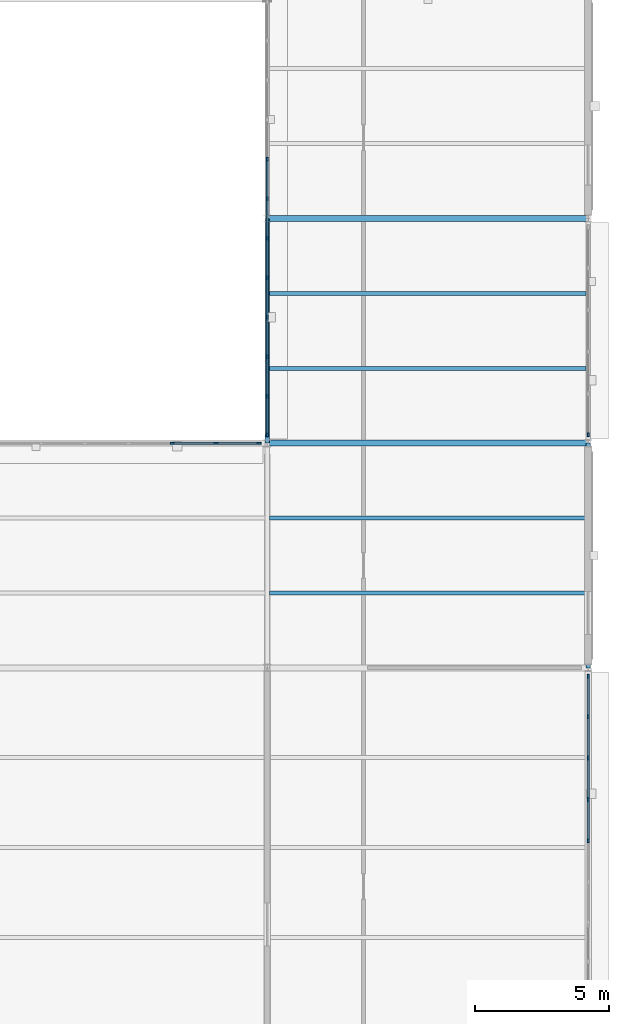
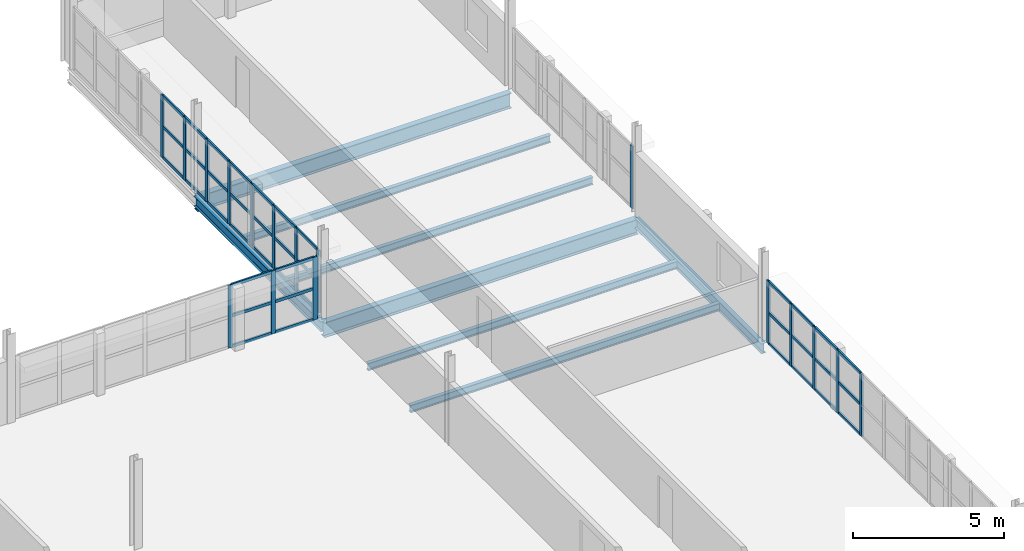
# One storey, part 53 of 101: 56 members, 8 beams, 4 elements without a shape of their own.
"""IFC4 building model written with IfcOpenShell, lengths in metres."""

from ifc_helpers import new_model, si_unit, direction, frame, origin, origin_2d, place, context, subcontext, project, spatial, rectangle, i_section, extrude, material, layer, layer_set, material_profile, profile_set, type_object, element, aggregate, save


model = new_model("IFC4")

# Units and contexts
model_context = context("Model", 3, precision=1e-05, world=origin(), true_north=direction((0.0, 1.0)))
body_context = subcontext(model_context, "Body", "Model", "MODEL_VIEW")
ifc_project = project(units=[si_unit("LENGTHUNIT", "METRE"), si_unit("AREAUNIT", "SQUARE_METRE"), si_unit("VOLUMEUNIT", "CUBIC_METRE"), si_unit("PLANEANGLEUNIT", "RADIAN"), si_unit("MASSUNIT", "GRAM", prefix="KILO"), si_unit("THERMODYNAMICTEMPERATUREUNIT", "KELVIN"), si_unit("POWERUNIT", "WATT")], contexts=[model_context])

# Site, building, storey
site_placement = place(None, origin())
site = spatial("IfcSite", under=ifc_project, at=site_placement, CompositionType="ELEMENT")
building_placement = place(site_placement, origin())
building = spatial("IfcBuilding", under=site, at=building_placement, Name="Tembeka Court Mobility Hub", CompositionType="ELEMENT")
storey_placement = place(building_placement, frame((0.0, 0.0, 5.39990234375)))
storey = spatial("IfcBuildingStorey", under=building, at=storey_placement, Name="L01", CompositionType="ELEMENT", Elevation=5.39990234375)

# Beams
ifc_material_1 = material(Name="Steel S355", Category="steel")
ifc_material_profile_1 = material_profile(ifc_material_1, i_section(OverallWidth=0.177978515625, OverallDepth=0.406005859375, WebThickness=0.0078125, FlangeThickness=0.0126953125, FilletRadius=0.01025390625, at=origin_2d()), Name="UKB 406x178x60")
ifc_profile_set_1 = profile_set([ifc_material_profile_1], Name="Steel S355")
beam_type_1 = type_object("IfcBeamType", Name="BM-B02", PredefinedType="BEAM", material=ifc_profile_set_1)
beam_1_placement = place(storey_placement, frame((164.39990234375, 46.800048828125, -0.392822265625), z_axis=(0.0, 1.0, 0.0), x_axis=(-1.0, 0.0, 0.0)))
element("IfcBeam", 1, at=beam_1_placement, inside=storey, type_object=beam_type_1, Name="Beam B02 (BM-L01-Y0903)", PredefinedType="BEAM", context=body_context, shape_type="SweptSolid", body=[
    extrude(i_section(OverallWidth=0.177978515625, OverallDepth=0.406005859375, WebThickness=0.0078125, FlangeThickness=0.0126953125, FilletRadius=0.01025390625, at=origin_2d()), origin(), (0.0, 0.0, 1.0), 8.39990234375),
])
beam_2_placement = place(storey_placement, frame((176.39990234375, 38.39990234375, -0.392822265625), z_axis=(0.0, 1.0, 0.0), x_axis=(-1.0, 0.0, 0.0)))
element("IfcBeam", 2, at=beam_2_placement, inside=storey, type_object=beam_type_1, Name="Beam B02 (BM-L01-Y0908)", PredefinedType="BEAM", context=body_context, shape_type="SweptSolid", body=[
    extrude(i_section(OverallWidth=0.177978515625, OverallDepth=0.406005859375, WebThickness=0.0078125, FlangeThickness=0.0126953125, FilletRadius=0.01025390625, at=origin_2d()), origin(), (0.0, 0.0, 1.0), 8.400146484375),
])
ifc_material_profile_2 = material_profile(ifc_material_1, i_section(OverallWidth=0.22900390625, OverallDepth=0.612060546875, WebThickness=0.011962890625, FlangeThickness=0.01953125, FilletRadius=0.0126953125, at=origin_2d()), Name="UKB 610x229x125")
ifc_profile_set_2 = profile_set([ifc_material_profile_2], Name="Steel S355")
beam_type_2 = type_object("IfcBeamType", Name="BM-G02", PredefinedType="USERDEFINED", material=ifc_profile_set_2)
for number, where, z_axis, x_axis, name in (
    (3, (164.39990234375, 46.800048828125, -0.495849609375), (1.0, 0.0, 0.0), (0.0, 1.0, 0.0), "Beam G02 (BM-L01-X0678)"),
    (4, (164.39990234375, 55.199951171875, -0.495849609375), (1.0, 0.0, 0.0), (0.0, 1.0, 0.0), "Beam G02 (BM-L01-X0690)"),
):
    element("IfcBeam", number, at=place(storey_placement, frame(where, z_axis=z_axis, x_axis=x_axis)), inside=storey, type_object=beam_type_2, Name=name, ObjectType="GIRDER", PredefinedType="USERDEFINED", context=body_context, shape_type="SweptSolid", body=[
        extrude(i_section(OverallWidth=0.22900390625, OverallDepth=0.612060546875, WebThickness=0.011962890625, FlangeThickness=0.01953125, FilletRadius=0.0126953125, at=origin_2d()), origin(), (0.0, 0.0, 1.0), 12.0),
    ])
ifc_material_profile_3 = material_profile(ifc_material_1, i_section(OverallWidth=0.14990234375, OverallDepth=0.300048828125, WebThickness=0.007080078125, FlangeThickness=0.0107421875, FilletRadius=0.014892578125, at=origin_2d()), Name="IPE 300")
ifc_profile_set_3 = profile_set([ifc_material_profile_3], Name="Steel S355")
beam_type_3 = type_object("IfcBeamType", Name="BM-J04", PredefinedType="JOIST", material=ifc_profile_set_3)
for number, where, z_axis, x_axis, name in (
    (5, (164.48388671875, 41.199951171875, -0.33984375), (1.0, 0.0, 0.0), (0.0, 1.0, 0.0), "Beam J04 (JST-L01-1164)"),
    (6, (164.48388671875, 44.0, -0.33984375), (1.0, 0.0, 0.0), (0.0, 1.0, 0.0), "Beam J04 (JST-L01-1165)"),
    (7, (164.48388671875, 49.60009765625, -0.33984375), (1.0, 0.0, 0.0), (0.0, 1.0, 0.0), "Beam J04 (JST-L01-1166)"),
    (8, (164.48388671875, 52.39990234375, -0.33984375), (1.0, 0.0, 0.0), (0.0, 1.0, 0.0), "Beam J04 (JST-L01-1167)"),
):
    element("IfcBeam", number, at=place(storey_placement, frame(where, z_axis=z_axis, x_axis=x_axis)), inside=storey, type_object=beam_type_3, Name=name, PredefinedType="JOIST", context=body_context, shape_type="SweptSolid", body=[
        extrude(i_section(OverallWidth=0.14990234375, OverallDepth=0.300048828125, WebThickness=0.007080078125, FlangeThickness=0.0107421875, FilletRadius=0.014892578125, at=origin_2d()), origin(), (0.0, 0.0, 1.0), 11.83203125),
    ])

# Curtain wall, members
ifc_material_2 = material(Name="Anodised aluminium 6063-T6", Category="aluminium")
ifc_layer_1 = layer(ifc_material_2, 0.159912109375)
ifc_layer_set_1 = layer_set([ifc_layer_1], Name="Anodised aluminium 6063-T6")
curtain_wall_type_1 = type_object("IfcCurtainWallType", Name="CW-SYS44", PredefinedType="USERDEFINED", material=ifc_layer_set_1)
curtain_wall_1_placement = place(storey_placement, origin())
curtain_wall_1 = element("IfcCurtainWall", 9, at=curtain_wall_1_placement, inside=storey, type_object=curtain_wall_type_1, Name="Unitised curtain wall CW44 (CW-L01-112)", ObjectType="UNITISED GLAZING", PredefinedType="USERDEFINED")
ifc_material_profile_4 = material_profile(ifc_material_2, rectangle(XDim=0.06494140625, YDim=0.159912109375, at=origin_2d()), Name="ALU-MUL 65x160")
ifc_profile_set_4 = profile_set([ifc_material_profile_4], Name="Anodised aluminium 6063-T6")
member_type_1 = type_object("IfcMemberType", Name="CW-MUL01", PredefinedType="MULLION", material=ifc_profile_set_4)
member_1_placement = place(storey_placement, frame((176.39990234375, 31.93603515625, 0.0), z_axis=(0.0, 0.0, 1.0), x_axis=(-1.0, 0.0, 0.0)))
member_1 = element("IfcMember", 10, at=member_1_placement, type_object=member_type_1, Name="CW44 mullion 3", PredefinedType="MULLION", context=body_context, shape_type="SweptSolid", body=[
    extrude(rectangle(XDim=0.06494140625, YDim=0.159912109375, at=origin_2d()), origin(), (0.0, 0.0, 1.0), 2.53515625),
])
member_2_placement = place(storey_placement, frame((176.39990234375, 33.48193359375, 0.0), z_axis=(0.0, 0.0, 1.0), x_axis=(-1.0, 0.0, 0.0)))
member_2 = element("IfcMember", 11, at=member_2_placement, type_object=member_type_1, Name="CW44 mullion 4", PredefinedType="MULLION", context=body_context, shape_type="SweptSolid", body=[
    extrude(rectangle(XDim=0.06494140625, YDim=0.159912109375, at=origin_2d()), origin(), (0.0, 0.0, 1.0), 2.53515625),
])
member_3_placement = place(storey_placement, frame((176.39990234375, 35.028076171875, 0.0), z_axis=(0.0, 0.0, 1.0), x_axis=(-1.0, 0.0, 0.0)))
member_3 = element("IfcMember", 12, at=member_3_placement, type_object=member_type_1, Name="CW44 mullion 5", PredefinedType="MULLION", context=body_context, shape_type="SweptSolid", body=[
    extrude(rectangle(XDim=0.06494140625, YDim=0.159912109375, at=origin_2d()), origin(), (0.0, 0.0, 1.0), 2.53515625),
])
member_4_placement = place(storey_placement, frame((176.39990234375, 36.573974609375, 0.0), z_axis=(0.0, 0.0, 1.0), x_axis=(-1.0, 0.0, 0.0)))
member_4 = element("IfcMember", 13, at=member_4_placement, type_object=member_type_1, Name="CW44 mullion 6", PredefinedType="MULLION", context=body_context, shape_type="SweptSolid", body=[
    extrude(rectangle(XDim=0.06494140625, YDim=0.159912109375, at=origin_2d()), origin(), (0.0, 0.0, 1.0), 2.53515625),
])
member_5_placement = place(storey_placement, frame((176.39990234375, 38.08740234375, 0.0), z_axis=(0.0, 0.0, 1.0), x_axis=(-1.0, 0.0, 0.0)))
member_5 = element("IfcMember", 14, at=member_5_placement, type_object=member_type_1, Name="CW44 mullion 7", PredefinedType="MULLION", context=body_context, shape_type="SweptSolid", body=[
    extrude(rectangle(XDim=0.06494140625, YDim=0.159912109375, at=origin_2d()), origin(), (0.0, 0.0, 1.0), 2.53515625),
])

# Curtain wall, member
ifc_layer_2 = layer(ifc_material_2, 0.159912109375)
ifc_layer_set_2 = layer_set([ifc_layer_2], Name="Anodised aluminium 6063-T6")
curtain_wall_type_2 = type_object("IfcCurtainWallType", Name="CW-SYS45", PredefinedType="USERDEFINED", material=ifc_layer_set_2)
curtain_wall_2_placement = place(storey_placement, origin())
curtain_wall_2 = element("IfcCurtainWall", 15, at=curtain_wall_2_placement, inside=storey, type_object=curtain_wall_type_2, Name="Unitised curtain wall CW45 (CW-L01-113)", ObjectType="UNITISED GLAZING", PredefinedType="USERDEFINED")
member_6_placement = place(storey_placement, frame((176.39990234375, 47.112548828125, 0.0), z_axis=(0.0, 0.0, 1.0), x_axis=(-1.0, 0.0, 0.0)))
member_6 = element("IfcMember", 16, at=member_6_placement, type_object=member_type_1, Name="CW45 mullion 1", PredefinedType="MULLION", context=body_context, shape_type="SweptSolid", body=[
    extrude(rectangle(XDim=0.06494140625, YDim=0.159912109375, at=origin_2d()), origin(), (0.0, 0.0, 1.0), 2.53515625),
])
aggregate(curtain_wall_2, [member_6])

# Curtain wall, members
ifc_layer_3 = layer(ifc_material_2, 0.159912109375)
ifc_layer_set_3 = layer_set([ifc_layer_3], Name="Anodised aluminium 6063-T6")
curtain_wall_type_3 = type_object("IfcCurtainWallType", Name="CW-SYS46", PredefinedType="USERDEFINED", material=ifc_layer_set_3)
curtain_wall_3_placement = place(storey_placement, origin())
curtain_wall_3 = element("IfcCurtainWall", 17, at=curtain_wall_3_placement, inside=storey, type_object=curtain_wall_type_3, Name="Unitised curtain wall CW46 (CW-L01-114)", ObjectType="UNITISED GLAZING", PredefinedType="USERDEFINED")
member_7_placement = place(storey_placement, frame((164.39990234375, 47.112548828125, 0.0), z_axis=(0.0, 0.0, 1.0), x_axis=(-1.0, 0.0, 0.0)))
member_7 = element("IfcMember", 18, at=member_7_placement, type_object=member_type_1, Name="CW46 mullion 1", PredefinedType="MULLION", context=body_context, shape_type="SweptSolid", body=[
    extrude(rectangle(XDim=0.06494140625, YDim=0.159912109375, at=origin_2d()), origin(), (0.0, 0.0, 1.0), 2.53515625),
])
member_8_placement = place(storey_placement, frame((164.39990234375, 48.556396484375, 0.0), z_axis=(0.0, 0.0, 1.0), x_axis=(-1.0, 0.0, 0.0)))
member_8 = element("IfcMember", 19, at=member_8_placement, type_object=member_type_1, Name="CW46 mullion 2", PredefinedType="MULLION", context=body_context, shape_type="SweptSolid", body=[
    extrude(rectangle(XDim=0.06494140625, YDim=0.159912109375, at=origin_2d()), origin(), (0.0, 0.0, 1.0), 2.53515625),
])
member_9_placement = place(storey_placement, frame((164.39990234375, 50.03271484375, 0.0), z_axis=(0.0, 0.0, 1.0), x_axis=(-1.0, 0.0, 0.0)))
member_9 = element("IfcMember", 20, at=member_9_placement, type_object=member_type_1, Name="CW46 mullion 3", PredefinedType="MULLION", context=body_context, shape_type="SweptSolid", body=[
    extrude(rectangle(XDim=0.06494140625, YDim=0.159912109375, at=origin_2d()), origin(), (0.0, 0.0, 1.0), 2.53515625),
])
member_10_placement = place(storey_placement, frame((164.39990234375, 51.509033203125, 0.0), z_axis=(0.0, 0.0, 1.0), x_axis=(-1.0, 0.0, 0.0)))
member_10 = element("IfcMember", 21, at=member_10_placement, type_object=member_type_1, Name="CW46 mullion 4", PredefinedType="MULLION", context=body_context, shape_type="SweptSolid", body=[
    extrude(rectangle(XDim=0.06494140625, YDim=0.159912109375, at=origin_2d()), origin(), (0.0, 0.0, 1.0), 2.53515625),
])
member_11_placement = place(storey_placement, frame((164.39990234375, 52.9853515625, 0.0), z_axis=(0.0, 0.0, 1.0), x_axis=(-1.0, 0.0, 0.0)))
member_11 = element("IfcMember", 22, at=member_11_placement, type_object=member_type_1, Name="CW46 mullion 5", PredefinedType="MULLION", context=body_context, shape_type="SweptSolid", body=[
    extrude(rectangle(XDim=0.06494140625, YDim=0.159912109375, at=origin_2d()), origin(), (0.0, 0.0, 1.0), 2.53515625),
])
member_12_placement = place(storey_placement, frame((164.39990234375, 54.4619140625, 0.0), z_axis=(0.0, 0.0, 1.0), x_axis=(-1.0, 0.0, 0.0)))
member_12 = element("IfcMember", 23, at=member_12_placement, type_object=member_type_1, Name="CW46 mullion 6", PredefinedType="MULLION", context=body_context, shape_type="SweptSolid", body=[
    extrude(rectangle(XDim=0.06494140625, YDim=0.159912109375, at=origin_2d()), origin(), (0.0, 0.0, 1.0), 2.53515625),
])
member_13_placement = place(storey_placement, frame((164.39990234375, 55.938232421875, 0.0), z_axis=(0.0, 0.0, 1.0), x_axis=(-1.0, 0.0, 0.0)))
member_13 = element("IfcMember", 24, at=member_13_placement, type_object=member_type_1, Name="CW46 mullion 7", PredefinedType="MULLION", context=body_context, shape_type="SweptSolid", body=[
    extrude(rectangle(XDim=0.06494140625, YDim=0.159912109375, at=origin_2d()), origin(), (0.0, 0.0, 1.0), 2.53515625),
])
member_14_placement = place(storey_placement, frame((164.39990234375, 57.41455078125, 0.0), z_axis=(0.0, 0.0, 1.0), x_axis=(-1.0, 0.0, 0.0)))
member_14 = element("IfcMember", 25, at=member_14_placement, type_object=member_type_1, Name="CW46 mullion 8", PredefinedType="MULLION", context=body_context, shape_type="SweptSolid", body=[
    extrude(rectangle(XDim=0.06494140625, YDim=0.159912109375, at=origin_2d()), origin(), (0.0, 0.0, 1.0), 2.53515625),
])

ifc_layer_4 = layer(ifc_material_2, 0.159912109375)
ifc_layer_set_4 = layer_set([ifc_layer_4], Name="Anodised aluminium 6063-T6")
curtain_wall_type_4 = type_object("IfcCurtainWallType", Name="CW-SYS41", PredefinedType="USERDEFINED", material=ifc_layer_set_4)
curtain_wall_4_placement = place(storey_placement, origin())
curtain_wall_4 = element("IfcCurtainWall", 26, at=curtain_wall_4_placement, inside=storey, type_object=curtain_wall_type_4, Name="Unitised curtain wall CW41 (CW-L01-116)", ObjectType="UNITISED GLAZING", PredefinedType="USERDEFINED")
member_15_placement = place(storey_placement, frame((160.851318359375, 46.800048828125, 0.0), z_axis=(0.0, 0.0, 1.0), x_axis=(0.0, 1.0, 0.0)))
member_15 = element("IfcMember", 27, at=member_15_placement, type_object=member_type_1, Name="CW41 mullion 6", PredefinedType="MULLION", context=body_context, shape_type="SweptSolid", body=[
    extrude(rectangle(XDim=0.06494140625, YDim=0.159912109375, at=origin_2d()), origin(), (0.0, 0.0, 1.0), 2.53515625),
])
member_16_placement = place(storey_placement, frame((162.485595703125, 46.800048828125, 0.0), z_axis=(0.0, 0.0, 1.0), x_axis=(0.0, 1.0, 0.0)))
member_16 = element("IfcMember", 28, at=member_16_placement, type_object=member_type_1, Name="CW41 mullion 7", PredefinedType="MULLION", context=body_context, shape_type="SweptSolid", body=[
    extrude(rectangle(XDim=0.06494140625, YDim=0.159912109375, at=origin_2d()), origin(), (0.0, 0.0, 1.0), 2.53515625),
])
member_17_placement = place(storey_placement, frame((164.08740234375, 46.800048828125, 0.0), z_axis=(0.0, 0.0, 1.0), x_axis=(0.0, 1.0, 0.0)))
member_17 = element("IfcMember", 29, at=member_17_placement, type_object=member_type_1, Name="CW41 mullion 8", PredefinedType="MULLION", context=body_context, shape_type="SweptSolid", body=[
    extrude(rectangle(XDim=0.06494140625, YDim=0.159912109375, at=origin_2d()), origin(), (0.0, 0.0, 1.0), 2.53515625),
])

# Member
ifc_material_profile_5 = material_profile(ifc_material_2, rectangle(XDim=0.06494140625, YDim=0.1201171875, at=origin_2d()), Name="ALU-TRN 65x120")
ifc_profile_set_5 = profile_set([ifc_material_profile_5], Name="Anodised aluminium 6063-T6")
member_type_2 = type_object("IfcMemberType", Name="CW-TRN01", PredefinedType="USERDEFINED", material=ifc_profile_set_5)
member_18_placement = place(storey_placement, frame((176.39990234375, 31.968505859375, 0.03271484375), z_axis=(0.0, 1.0, 0.0), x_axis=(-1.0, 0.0, 0.0)))
member_18 = element("IfcMember", 30, at=member_18_placement, type_object=member_type_2, Name="CW44 transom 3.1", ObjectType="TRANSOM", PredefinedType="USERDEFINED", context=body_context, shape_type="SweptSolid", body=[
    extrude(rectangle(XDim=0.06494140625, YDim=0.1201171875, at=origin_2d()), origin(), (0.0, 0.0, 1.0), 1.48095703125),
])

member_19_placement = place(storey_placement, frame((176.39990234375, 31.968505859375, 1.267578125), z_axis=(0.0, 1.0, 0.0), x_axis=(-1.0, 0.0, 0.0)))
member_19 = element("IfcMember", 31, at=member_19_placement, type_object=member_type_2, Name="CW44 transom 3.2", ObjectType="TRANSOM", PredefinedType="USERDEFINED", context=body_context, shape_type="SweptSolid", body=[
    extrude(rectangle(XDim=0.06494140625, YDim=0.1201171875, at=origin_2d()), origin(), (0.0, 0.0, 1.0), 1.48095703125),
])

member_20_placement = place(storey_placement, frame((176.39990234375, 31.968505859375, 2.502685546875), z_axis=(0.0, 1.0, 0.0), x_axis=(-1.0, 0.0, 0.0)))
member_20 = element("IfcMember", 32, at=member_20_placement, type_object=member_type_2, Name="CW44 transom 3.3", ObjectType="TRANSOM", PredefinedType="USERDEFINED", context=body_context, shape_type="SweptSolid", body=[
    extrude(rectangle(XDim=0.06494140625, YDim=0.1201171875, at=origin_2d()), origin(), (0.0, 0.0, 1.0), 1.48095703125),
])

member_21_placement = place(storey_placement, frame((176.39990234375, 33.514404296875, 0.03271484375), z_axis=(0.0, 1.0, 0.0), x_axis=(-1.0, 0.0, 0.0)))
member_21 = element("IfcMember", 33, at=member_21_placement, type_object=member_type_2, Name="CW44 transom 4.1", ObjectType="TRANSOM", PredefinedType="USERDEFINED", context=body_context, shape_type="SweptSolid", body=[
    extrude(rectangle(XDim=0.06494140625, YDim=0.1201171875, at=origin_2d()), origin(), (0.0, 0.0, 1.0), 1.481201171875),
])

member_22_placement = place(storey_placement, frame((176.39990234375, 33.514404296875, 1.267578125), z_axis=(0.0, 1.0, 0.0), x_axis=(-1.0, 0.0, 0.0)))
member_22 = element("IfcMember", 34, at=member_22_placement, type_object=member_type_2, Name="CW44 transom 4.2", ObjectType="TRANSOM", PredefinedType="USERDEFINED", context=body_context, shape_type="SweptSolid", body=[
    extrude(rectangle(XDim=0.06494140625, YDim=0.1201171875, at=origin_2d()), origin(), (0.0, 0.0, 1.0), 1.481201171875),
])

member_23_placement = place(storey_placement, frame((176.39990234375, 33.514404296875, 2.502685546875), z_axis=(0.0, 1.0, 0.0), x_axis=(-1.0, 0.0, 0.0)))
member_23 = element("IfcMember", 35, at=member_23_placement, type_object=member_type_2, Name="CW44 transom 4.3", ObjectType="TRANSOM", PredefinedType="USERDEFINED", context=body_context, shape_type="SweptSolid", body=[
    extrude(rectangle(XDim=0.06494140625, YDim=0.1201171875, at=origin_2d()), origin(), (0.0, 0.0, 1.0), 1.481201171875),
])

member_24_placement = place(storey_placement, frame((176.39990234375, 35.060546875, 0.03271484375), z_axis=(0.0, 1.0, 0.0), x_axis=(-1.0, 0.0, 0.0)))
member_24 = element("IfcMember", 36, at=member_24_placement, type_object=member_type_2, Name="CW44 transom 5.1", ObjectType="TRANSOM", PredefinedType="USERDEFINED", context=body_context, shape_type="SweptSolid", body=[
    extrude(rectangle(XDim=0.06494140625, YDim=0.1201171875, at=origin_2d()), origin(), (0.0, 0.0, 1.0), 1.48095703125),
])

member_25_placement = place(storey_placement, frame((176.39990234375, 35.060546875, 1.267578125), z_axis=(0.0, 1.0, 0.0), x_axis=(-1.0, 0.0, 0.0)))
member_25 = element("IfcMember", 37, at=member_25_placement, type_object=member_type_2, Name="CW44 transom 5.2", ObjectType="TRANSOM", PredefinedType="USERDEFINED", context=body_context, shape_type="SweptSolid", body=[
    extrude(rectangle(XDim=0.06494140625, YDim=0.1201171875, at=origin_2d()), origin(), (0.0, 0.0, 1.0), 1.48095703125),
])

member_26_placement = place(storey_placement, frame((176.39990234375, 35.060546875, 2.502685546875), z_axis=(0.0, 1.0, 0.0), x_axis=(-1.0, 0.0, 0.0)))
member_26 = element("IfcMember", 38, at=member_26_placement, type_object=member_type_2, Name="CW44 transom 5.3", ObjectType="TRANSOM", PredefinedType="USERDEFINED", context=body_context, shape_type="SweptSolid", body=[
    extrude(rectangle(XDim=0.06494140625, YDim=0.1201171875, at=origin_2d()), origin(), (0.0, 0.0, 1.0), 1.48095703125),
])

member_27_placement = place(storey_placement, frame((176.39990234375, 36.6064453125, 0.03271484375), z_axis=(0.0, 1.0, 0.0), x_axis=(-1.0, 0.0, 0.0)))
member_27 = element("IfcMember", 39, at=member_27_placement, type_object=member_type_2, Name="CW44 transom 6.1", ObjectType="TRANSOM", PredefinedType="USERDEFINED", context=body_context, shape_type="SweptSolid", body=[
    extrude(rectangle(XDim=0.06494140625, YDim=0.1201171875, at=origin_2d()), origin(), (0.0, 0.0, 1.0), 1.448486328125),
])

member_28_placement = place(storey_placement, frame((176.39990234375, 36.6064453125, 1.267578125), z_axis=(0.0, 1.0, 0.0), x_axis=(-1.0, 0.0, 0.0)))
member_28 = element("IfcMember", 40, at=member_28_placement, type_object=member_type_2, Name="CW44 transom 6.2", ObjectType="TRANSOM", PredefinedType="USERDEFINED", context=body_context, shape_type="SweptSolid", body=[
    extrude(rectangle(XDim=0.06494140625, YDim=0.1201171875, at=origin_2d()), origin(), (0.0, 0.0, 1.0), 1.448486328125),
])

member_29_placement = place(storey_placement, frame((176.39990234375, 36.6064453125, 2.502685546875), z_axis=(0.0, 1.0, 0.0), x_axis=(-1.0, 0.0, 0.0)))
member_29 = element("IfcMember", 41, at=member_29_placement, type_object=member_type_2, Name="CW44 transom 6.3", ObjectType="TRANSOM", PredefinedType="USERDEFINED", context=body_context, shape_type="SweptSolid", body=[
    extrude(rectangle(XDim=0.06494140625, YDim=0.1201171875, at=origin_2d()), origin(), (0.0, 0.0, 1.0), 1.448486328125),
])

aggregate(curtain_wall_1, [member_1, member_2, member_3, member_4, member_5, member_18, member_19, member_20, member_21, member_22, member_23, member_24, member_25, member_26, member_27, member_28, member_29])

member_30_placement = place(storey_placement, frame((164.39990234375, 47.14501953125, 0.03271484375), z_axis=(0.0, 1.0, 0.0), x_axis=(-1.0, 0.0, 0.0)))
member_30 = element("IfcMember", 42, at=member_30_placement, type_object=member_type_2, Name="CW46 transom 1.1", ObjectType="TRANSOM", PredefinedType="USERDEFINED", context=body_context, shape_type="SweptSolid", body=[
    extrude(rectangle(XDim=0.06494140625, YDim=0.1201171875, at=origin_2d()), origin(), (0.0, 0.0, 1.0), 1.37890625),
])

member_31_placement = place(storey_placement, frame((164.39990234375, 47.14501953125, 1.267578125), z_axis=(0.0, 1.0, 0.0), x_axis=(-1.0, 0.0, 0.0)))
member_31 = element("IfcMember", 43, at=member_31_placement, type_object=member_type_2, Name="CW46 transom 1.2", ObjectType="TRANSOM", PredefinedType="USERDEFINED", context=body_context, shape_type="SweptSolid", body=[
    extrude(rectangle(XDim=0.06494140625, YDim=0.1201171875, at=origin_2d()), origin(), (0.0, 0.0, 1.0), 1.37890625),
])

member_32_placement = place(storey_placement, frame((164.39990234375, 47.14501953125, 2.502685546875), z_axis=(0.0, 1.0, 0.0), x_axis=(-1.0, 0.0, 0.0)))
member_32 = element("IfcMember", 44, at=member_32_placement, type_object=member_type_2, Name="CW46 transom 1.3", ObjectType="TRANSOM", PredefinedType="USERDEFINED", context=body_context, shape_type="SweptSolid", body=[
    extrude(rectangle(XDim=0.06494140625, YDim=0.1201171875, at=origin_2d()), origin(), (0.0, 0.0, 1.0), 1.37890625),
])

member_33_placement = place(storey_placement, frame((164.39990234375, 48.5888671875, 0.03271484375), z_axis=(0.0, 1.0, 0.0), x_axis=(-1.0, 0.0, 0.0)))
member_33 = element("IfcMember", 45, at=member_33_placement, type_object=member_type_2, Name="CW46 transom 2.1", ObjectType="TRANSOM", PredefinedType="USERDEFINED", context=body_context, shape_type="SweptSolid", body=[
    extrude(rectangle(XDim=0.06494140625, YDim=0.1201171875, at=origin_2d()), origin(), (0.0, 0.0, 1.0), 1.411376953125),
])

member_34_placement = place(storey_placement, frame((164.39990234375, 48.5888671875, 1.267578125), z_axis=(0.0, 1.0, 0.0), x_axis=(-1.0, 0.0, 0.0)))
member_34 = element("IfcMember", 46, at=member_34_placement, type_object=member_type_2, Name="CW46 transom 2.2", ObjectType="TRANSOM", PredefinedType="USERDEFINED", context=body_context, shape_type="SweptSolid", body=[
    extrude(rectangle(XDim=0.06494140625, YDim=0.1201171875, at=origin_2d()), origin(), (0.0, 0.0, 1.0), 1.411376953125),
])

member_35_placement = place(storey_placement, frame((164.39990234375, 48.5888671875, 2.502685546875), z_axis=(0.0, 1.0, 0.0), x_axis=(-1.0, 0.0, 0.0)))
member_35 = element("IfcMember", 47, at=member_35_placement, type_object=member_type_2, Name="CW46 transom 2.3", ObjectType="TRANSOM", PredefinedType="USERDEFINED", context=body_context, shape_type="SweptSolid", body=[
    extrude(rectangle(XDim=0.06494140625, YDim=0.1201171875, at=origin_2d()), origin(), (0.0, 0.0, 1.0), 1.411376953125),
])

member_36_placement = place(storey_placement, frame((164.39990234375, 50.065185546875, 0.03271484375), z_axis=(0.0, 1.0, 0.0), x_axis=(-1.0, 0.0, 0.0)))
member_36 = element("IfcMember", 48, at=member_36_placement, type_object=member_type_2, Name="CW46 transom 3.1", ObjectType="TRANSOM", PredefinedType="USERDEFINED", context=body_context, shape_type="SweptSolid", body=[
    extrude(rectangle(XDim=0.06494140625, YDim=0.1201171875, at=origin_2d()), origin(), (0.0, 0.0, 1.0), 1.411376953125),
])

member_37_placement = place(storey_placement, frame((164.39990234375, 50.065185546875, 1.267578125), z_axis=(0.0, 1.0, 0.0), x_axis=(-1.0, 0.0, 0.0)))
member_37 = element("IfcMember", 49, at=member_37_placement, type_object=member_type_2, Name="CW46 transom 3.2", ObjectType="TRANSOM", PredefinedType="USERDEFINED", context=body_context, shape_type="SweptSolid", body=[
    extrude(rectangle(XDim=0.06494140625, YDim=0.1201171875, at=origin_2d()), origin(), (0.0, 0.0, 1.0), 1.411376953125),
])

member_38_placement = place(storey_placement, frame((164.39990234375, 50.065185546875, 2.502685546875), z_axis=(0.0, 1.0, 0.0), x_axis=(-1.0, 0.0, 0.0)))
member_38 = element("IfcMember", 50, at=member_38_placement, type_object=member_type_2, Name="CW46 transom 3.3", ObjectType="TRANSOM", PredefinedType="USERDEFINED", context=body_context, shape_type="SweptSolid", body=[
    extrude(rectangle(XDim=0.06494140625, YDim=0.1201171875, at=origin_2d()), origin(), (0.0, 0.0, 1.0), 1.411376953125),
])

member_39_placement = place(storey_placement, frame((164.39990234375, 51.54150390625, 0.03271484375), z_axis=(0.0, 1.0, 0.0), x_axis=(-1.0, 0.0, 0.0)))
member_39 = element("IfcMember", 51, at=member_39_placement, type_object=member_type_2, Name="CW46 transom 4.1", ObjectType="TRANSOM", PredefinedType="USERDEFINED", context=body_context, shape_type="SweptSolid", body=[
    extrude(rectangle(XDim=0.06494140625, YDim=0.1201171875, at=origin_2d()), origin(), (0.0, 0.0, 1.0), 1.411376953125),
])

member_40_placement = place(storey_placement, frame((164.39990234375, 51.54150390625, 1.267578125), z_axis=(0.0, 1.0, 0.0), x_axis=(-1.0, 0.0, 0.0)))
member_40 = element("IfcMember", 52, at=member_40_placement, type_object=member_type_2, Name="CW46 transom 4.2", ObjectType="TRANSOM", PredefinedType="USERDEFINED", context=body_context, shape_type="SweptSolid", body=[
    extrude(rectangle(XDim=0.06494140625, YDim=0.1201171875, at=origin_2d()), origin(), (0.0, 0.0, 1.0), 1.411376953125),
])

member_41_placement = place(storey_placement, frame((164.39990234375, 51.54150390625, 2.502685546875), z_axis=(0.0, 1.0, 0.0), x_axis=(-1.0, 0.0, 0.0)))
member_41 = element("IfcMember", 53, at=member_41_placement, type_object=member_type_2, Name="CW46 transom 4.3", ObjectType="TRANSOM", PredefinedType="USERDEFINED", context=body_context, shape_type="SweptSolid", body=[
    extrude(rectangle(XDim=0.06494140625, YDim=0.1201171875, at=origin_2d()), origin(), (0.0, 0.0, 1.0), 1.411376953125),
])

member_42_placement = place(storey_placement, frame((164.39990234375, 53.01806640625, 0.03271484375), z_axis=(0.0, 1.0, 0.0), x_axis=(-1.0, 0.0, 0.0)))
member_42 = element("IfcMember", 54, at=member_42_placement, type_object=member_type_2, Name="CW46 transom 5.1", ObjectType="TRANSOM", PredefinedType="USERDEFINED", context=body_context, shape_type="SweptSolid", body=[
    extrude(rectangle(XDim=0.06494140625, YDim=0.1201171875, at=origin_2d()), origin(), (0.0, 0.0, 1.0), 1.4111328125),
])

member_43_placement = place(storey_placement, frame((164.39990234375, 53.01806640625, 1.267578125), z_axis=(0.0, 1.0, 0.0), x_axis=(-1.0, 0.0, 0.0)))
member_43 = element("IfcMember", 55, at=member_43_placement, type_object=member_type_2, Name="CW46 transom 5.2", ObjectType="TRANSOM", PredefinedType="USERDEFINED", context=body_context, shape_type="SweptSolid", body=[
    extrude(rectangle(XDim=0.06494140625, YDim=0.1201171875, at=origin_2d()), origin(), (0.0, 0.0, 1.0), 1.4111328125),
])

member_44_placement = place(storey_placement, frame((164.39990234375, 53.01806640625, 2.502685546875), z_axis=(0.0, 1.0, 0.0), x_axis=(-1.0, 0.0, 0.0)))
member_44 = element("IfcMember", 56, at=member_44_placement, type_object=member_type_2, Name="CW46 transom 5.3", ObjectType="TRANSOM", PredefinedType="USERDEFINED", context=body_context, shape_type="SweptSolid", body=[
    extrude(rectangle(XDim=0.06494140625, YDim=0.1201171875, at=origin_2d()), origin(), (0.0, 0.0, 1.0), 1.4111328125),
])

member_45_placement = place(storey_placement, frame((164.39990234375, 54.494384765625, 0.03271484375), z_axis=(0.0, 1.0, 0.0), x_axis=(-1.0, 0.0, 0.0)))
member_45 = element("IfcMember", 57, at=member_45_placement, type_object=member_type_2, Name="CW46 transom 6.1", ObjectType="TRANSOM", PredefinedType="USERDEFINED", context=body_context, shape_type="SweptSolid", body=[
    extrude(rectangle(XDim=0.06494140625, YDim=0.1201171875, at=origin_2d()), origin(), (0.0, 0.0, 1.0), 1.411376953125),
])

member_46_placement = place(storey_placement, frame((164.39990234375, 54.494384765625, 1.267578125), z_axis=(0.0, 1.0, 0.0), x_axis=(-1.0, 0.0, 0.0)))
member_46 = element("IfcMember", 58, at=member_46_placement, type_object=member_type_2, Name="CW46 transom 6.2", ObjectType="TRANSOM", PredefinedType="USERDEFINED", context=body_context, shape_type="SweptSolid", body=[
    extrude(rectangle(XDim=0.06494140625, YDim=0.1201171875, at=origin_2d()), origin(), (0.0, 0.0, 1.0), 1.411376953125),
])

member_47_placement = place(storey_placement, frame((164.39990234375, 54.494384765625, 2.502685546875), z_axis=(0.0, 1.0, 0.0), x_axis=(-1.0, 0.0, 0.0)))
member_47 = element("IfcMember", 59, at=member_47_placement, type_object=member_type_2, Name="CW46 transom 6.3", ObjectType="TRANSOM", PredefinedType="USERDEFINED", context=body_context, shape_type="SweptSolid", body=[
    extrude(rectangle(XDim=0.06494140625, YDim=0.1201171875, at=origin_2d()), origin(), (0.0, 0.0, 1.0), 1.411376953125),
])

member_48_placement = place(storey_placement, frame((164.39990234375, 55.970703125, 0.03271484375), z_axis=(0.0, 1.0, 0.0), x_axis=(-1.0, 0.0, 0.0)))
member_48 = element("IfcMember", 60, at=member_48_placement, type_object=member_type_2, Name="CW46 transom 7.1", ObjectType="TRANSOM", PredefinedType="USERDEFINED", context=body_context, shape_type="SweptSolid", body=[
    extrude(rectangle(XDim=0.06494140625, YDim=0.1201171875, at=origin_2d()), origin(), (0.0, 0.0, 1.0), 1.411376953125),
])

member_49_placement = place(storey_placement, frame((164.39990234375, 55.970703125, 1.267578125), z_axis=(0.0, 1.0, 0.0), x_axis=(-1.0, 0.0, 0.0)))
member_49 = element("IfcMember", 61, at=member_49_placement, type_object=member_type_2, Name="CW46 transom 7.2", ObjectType="TRANSOM", PredefinedType="USERDEFINED", context=body_context, shape_type="SweptSolid", body=[
    extrude(rectangle(XDim=0.06494140625, YDim=0.1201171875, at=origin_2d()), origin(), (0.0, 0.0, 1.0), 1.411376953125),
])

member_50_placement = place(storey_placement, frame((164.39990234375, 55.970703125, 2.502685546875), z_axis=(0.0, 1.0, 0.0), x_axis=(-1.0, 0.0, 0.0)))
member_50 = element("IfcMember", 62, at=member_50_placement, type_object=member_type_2, Name="CW46 transom 7.3", ObjectType="TRANSOM", PredefinedType="USERDEFINED", context=body_context, shape_type="SweptSolid", body=[
    extrude(rectangle(XDim=0.06494140625, YDim=0.1201171875, at=origin_2d()), origin(), (0.0, 0.0, 1.0), 1.411376953125),
])

aggregate(curtain_wall_3, [member_7, member_8, member_9, member_10, member_11, member_12, member_13, member_14, member_30, member_31, member_32, member_33, member_34, member_35, member_36, member_37, member_38, member_39, member_40, member_41, member_42, member_43, member_44, member_45, member_46, member_47, member_48, member_49, member_50])

member_51_placement = place(storey_placement, frame((160.884033203125, 46.800048828125, 0.03271484375), z_axis=(1.0, 0.0, 0.0), x_axis=(0.0, 1.0, 0.0)))
member_51 = element("IfcMember", 63, at=member_51_placement, type_object=member_type_2, Name="CW41 transom 6.1", ObjectType="TRANSOM", PredefinedType="USERDEFINED", context=body_context, shape_type="SweptSolid", body=[
    extrude(rectangle(XDim=0.06494140625, YDim=0.1201171875, at=origin_2d()), origin(), (0.0, 0.0, 1.0), 1.569091796875),
])

member_52_placement = place(storey_placement, frame((160.884033203125, 46.800048828125, 1.267578125), z_axis=(1.0, 0.0, 0.0), x_axis=(0.0, 1.0, 0.0)))
member_52 = element("IfcMember", 64, at=member_52_placement, type_object=member_type_2, Name="CW41 transom 6.2", ObjectType="TRANSOM", PredefinedType="USERDEFINED", context=body_context, shape_type="SweptSolid", body=[
    extrude(rectangle(XDim=0.06494140625, YDim=0.1201171875, at=origin_2d()), origin(), (0.0, 0.0, 1.0), 1.569091796875),
])

member_53_placement = place(storey_placement, frame((160.884033203125, 46.800048828125, 2.502685546875), z_axis=(1.0, 0.0, 0.0), x_axis=(0.0, 1.0, 0.0)))
member_53 = element("IfcMember", 65, at=member_53_placement, type_object=member_type_2, Name="CW41 transom 6.3", ObjectType="TRANSOM", PredefinedType="USERDEFINED", context=body_context, shape_type="SweptSolid", body=[
    extrude(rectangle(XDim=0.06494140625, YDim=0.1201171875, at=origin_2d()), origin(), (0.0, 0.0, 1.0), 1.569091796875),
])

member_54_placement = place(storey_placement, frame((162.518310546875, 46.800048828125, 0.03271484375), z_axis=(1.0, 0.0, 0.0), x_axis=(0.0, 1.0, 0.0)))
member_54 = element("IfcMember", 66, at=member_54_placement, type_object=member_type_2, Name="CW41 transom 7.1", ObjectType="TRANSOM", PredefinedType="USERDEFINED", context=body_context, shape_type="SweptSolid", body=[
    extrude(rectangle(XDim=0.06494140625, YDim=0.1201171875, at=origin_2d()), origin(), (0.0, 0.0, 1.0), 1.53662109375),
])

member_55_placement = place(storey_placement, frame((162.518310546875, 46.800048828125, 1.267578125), z_axis=(1.0, 0.0, 0.0), x_axis=(0.0, 1.0, 0.0)))
member_55 = element("IfcMember", 67, at=member_55_placement, type_object=member_type_2, Name="CW41 transom 7.2", ObjectType="TRANSOM", PredefinedType="USERDEFINED", context=body_context, shape_type="SweptSolid", body=[
    extrude(rectangle(XDim=0.06494140625, YDim=0.1201171875, at=origin_2d()), origin(), (0.0, 0.0, 1.0), 1.53662109375),
])

member_56_placement = place(storey_placement, frame((162.518310546875, 46.800048828125, 2.502685546875), z_axis=(1.0, 0.0, 0.0), x_axis=(0.0, 1.0, 0.0)))
member_56 = element("IfcMember", 68, at=member_56_placement, type_object=member_type_2, Name="CW41 transom 7.3", ObjectType="TRANSOM", PredefinedType="USERDEFINED", context=body_context, shape_type="SweptSolid", body=[
    extrude(rectangle(XDim=0.06494140625, YDim=0.1201171875, at=origin_2d()), origin(), (0.0, 0.0, 1.0), 1.53662109375),
])

aggregate(curtain_wall_4, [member_15, member_16, member_17, member_51, member_52, member_53, member_54, member_55, member_56])

save(model, "model.ifc")
